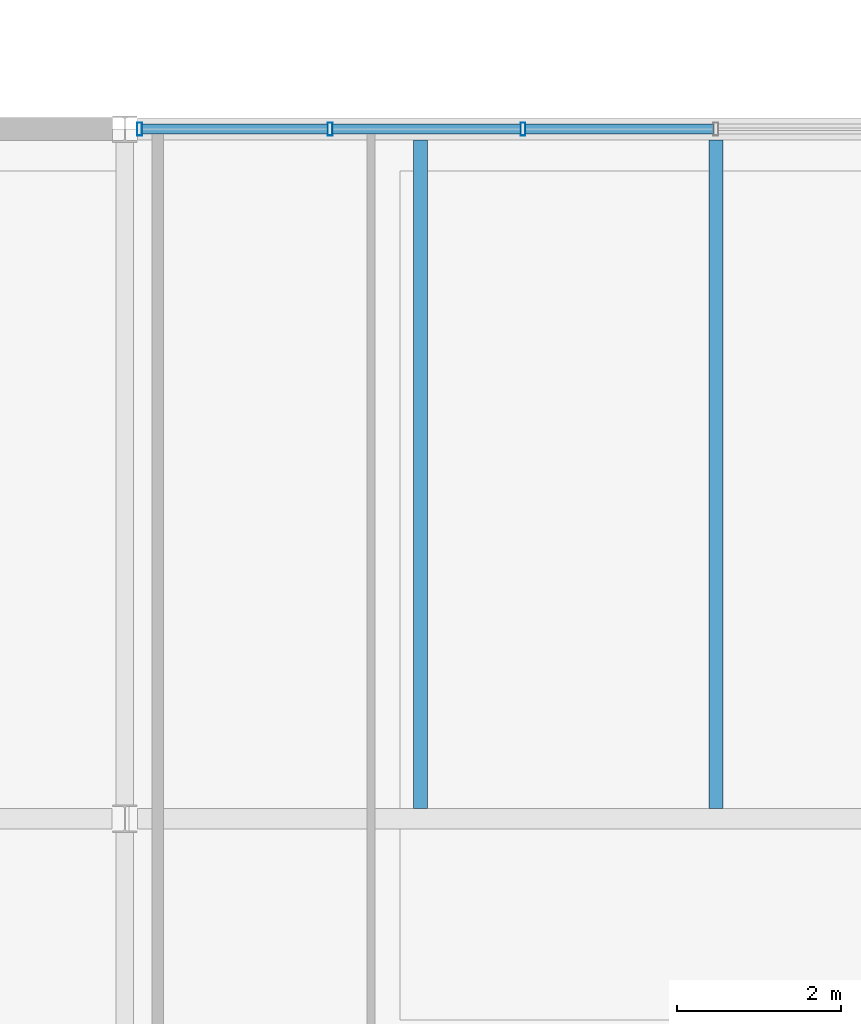
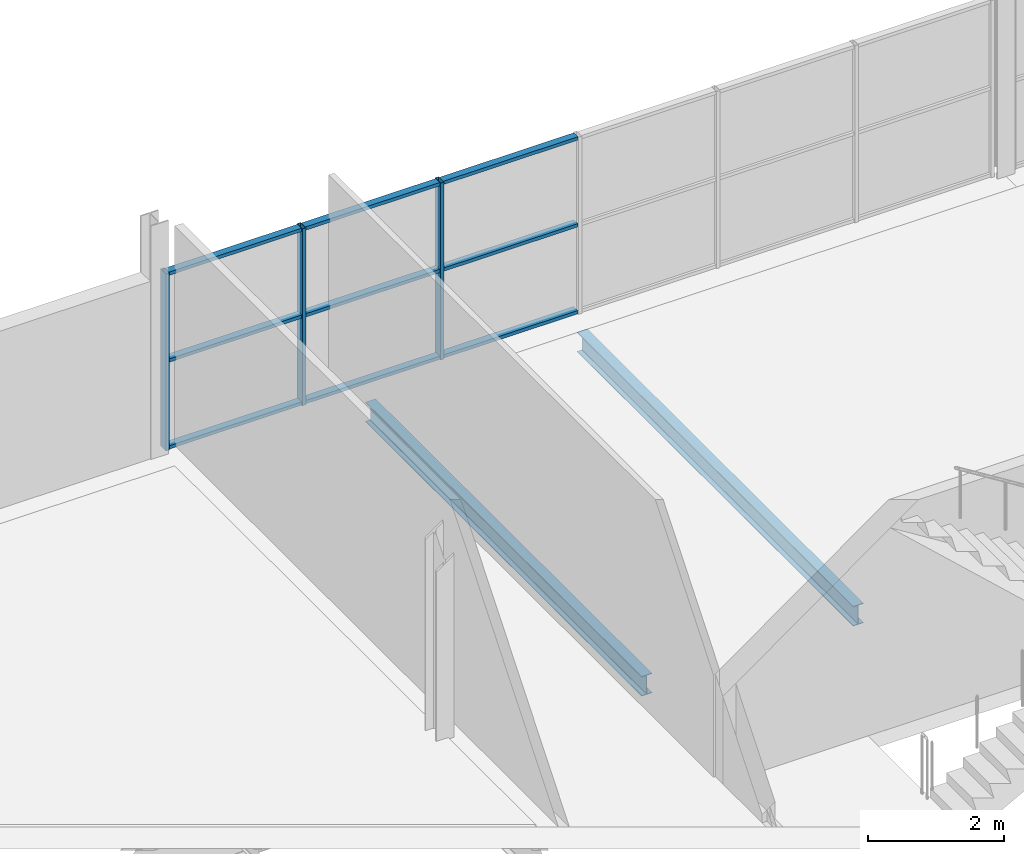
# One storey, part 41 of 93: 12 members, 2 beams, 1 element without a shape of its own.
"""IFC4 building model written with IfcOpenShell, lengths in metres."""

from ifc_helpers import new_model, si_unit, direction, frame, origin, origin_2d, place, context, subcontext, project, spatial, hollow_rectangle, i_section, extrude, material, material_profile, profile_set, type_object, element, aggregate, save


model = new_model("IFC4")

# Units and contexts
model_context = context("Model", 3, precision=1e-05, world=origin(), true_north=direction((0.0, 1.0)))
body_context = subcontext(model_context, "Body", "Model", "MODEL_VIEW")
ifc_project = project(units=[si_unit("LENGTHUNIT", "METRE"), si_unit("AREAUNIT", "SQUARE_METRE"), si_unit("VOLUMEUNIT", "CUBIC_METRE"), si_unit("PLANEANGLEUNIT", "RADIAN"), si_unit("MASSUNIT", "GRAM", prefix="KILO"), si_unit("THERMODYNAMICTEMPERATUREUNIT", "KELVIN")], contexts=[model_context])

# Site, building, storey
site_placement = place(None, origin())
site = spatial("IfcSite", under=ifc_project, at=site_placement, CompositionType="ELEMENT")
building_placement = place(site_placement, origin())
building = spatial("IfcBuilding", under=site, at=building_placement, Name="Nduvali Passage Aquatics Centre", CompositionType="ELEMENT")
storey_placement = place(building_placement, frame((0.0, 0.0, 9.0)))
storey = spatial("IfcBuildingStorey", under=building, at=storey_placement, Name="L02", CompositionType="ELEMENT", Elevation=9.0)

# Curtain wall, members
ifc_material_1 = material(Name="Aluminium EN AW-6063 T6", Category="aluminium")
curtain_wall_type = type_object("IfcCurtainWallType", Name="ENV-CW-WELL", PredefinedType="NOTDEFINED", material=ifc_material_1)
curtain_wall_placement = place(storey_placement, origin())
curtain_wall = element("IfcCurtainWall", 1, at=curtain_wall_placement, inside=storey, type_object=curtain_wall_type, Name="L02 North Avenue Clinic CW 101", PredefinedType="NOTDEFINED")
ifc_material_profile_1 = material_profile(ifc_material_1, hollow_rectangle(XDim=0.06005859375, YDim=0.159912109375, WallThickness=0.00390625, at=origin_2d()), Name="ALU MULLION 60x160x4")
ifc_profile_set_1 = profile_set([ifc_material_profile_1], Name="Aluminium EN AW-6063 T6")
member_type_1 = type_object("IfcMemberType", Name="ENV-MEM-MUL60", PredefinedType="MULLION", material=ifc_profile_set_1)
member_1_placement = place(storey_placement, frame((54.179931640625, 117.60009765625, 0.0), z_axis=(0.0, 0.0, 1.0), x_axis=(1.0, 0.0, 0.0)))
member_1 = element("IfcMember", 2, at=member_1_placement, type_object=member_type_1, Name="North Avenue Clinic CW Mullion 1", PredefinedType="MULLION", context=body_context, shape_type="SweptSolid", body=[
    extrude(hollow_rectangle(XDim=0.06005859375, YDim=0.159912109375, WallThickness=0.00390625, at=origin_2d()), origin(), (0.0, 0.0, 1.0), 3.183837890625),
])
member_2_placement = place(storey_placement, frame((56.5, 117.60009765625, 0.0), z_axis=(0.0, 0.0, 1.0), x_axis=(1.0, 0.0, 0.0)))
member_2 = element("IfcMember", 3, at=member_2_placement, type_object=member_type_1, Name="North Avenue Clinic CW Mullion 2", PredefinedType="MULLION", context=body_context, shape_type="SweptSolid", body=[
    extrude(hollow_rectangle(XDim=0.06005859375, YDim=0.159912109375, WallThickness=0.00390625, at=origin_2d()), origin(), (0.0, 0.0, 1.0), 3.183837890625),
])
member_3_placement = place(storey_placement, frame((58.85009765625, 117.60009765625, 0.0), z_axis=(0.0, 0.0, 1.0), x_axis=(1.0, 0.0, 0.0)))
member_3 = element("IfcMember", 4, at=member_3_placement, type_object=member_type_1, Name="North Avenue Clinic CW Mullion 3", PredefinedType="MULLION", context=body_context, shape_type="SweptSolid", body=[
    extrude(hollow_rectangle(XDim=0.06005859375, YDim=0.159912109375, WallThickness=0.00390625, at=origin_2d()), origin(), (0.0, 0.0, 1.0), 3.183837890625),
])
ifc_material_profile_2 = material_profile(ifc_material_1, hollow_rectangle(XDim=0.1201171875, YDim=0.06005859375, WallThickness=0.00390625, at=origin_2d()), Name="ALU TRANSOM 120x60x4")
ifc_profile_set_2 = profile_set([ifc_material_profile_2], Name="Aluminium EN AW-6063 T6")
member_type_2 = type_object("IfcMemberType", Name="ENV-MEM-TRN60", PredefinedType="USERDEFINED", material=ifc_profile_set_2)
member_4_placement = place(storey_placement, frame((54.2099609375, 117.60009765625, 0.030029296875), z_axis=(1.0, 0.0, 0.0), x_axis=(0.0, 1.0, 0.0)))
member_4 = element("IfcMember", 5, at=member_4_placement, type_object=member_type_2, Name="North Avenue Clinic CW Transom B1-R0", ObjectType="TRANSOM", PredefinedType="USERDEFINED", context=body_context, shape_type="SweptSolid", body=[
    extrude(hollow_rectangle(XDim=0.1201171875, YDim=0.06005859375, WallThickness=0.00390625, at=origin_2d()), origin(), (0.0, 0.0, 1.0), 2.260009765625),
])
member_5_placement = place(storey_placement, frame((54.2099609375, 117.60009765625, 1.591796875), z_axis=(1.0, 0.0, 0.0), x_axis=(0.0, 1.0, 0.0)))
member_5 = element("IfcMember", 6, at=member_5_placement, type_object=member_type_2, Name="North Avenue Clinic CW Transom B1-R1", ObjectType="TRANSOM", PredefinedType="USERDEFINED", context=body_context, shape_type="SweptSolid", body=[
    extrude(hollow_rectangle(XDim=0.1201171875, YDim=0.06005859375, WallThickness=0.00390625, at=origin_2d()), origin(), (0.0, 0.0, 1.0), 2.260009765625),
])
member_6_placement = place(storey_placement, frame((54.2099609375, 117.60009765625, 3.15380859375), z_axis=(1.0, 0.0, 0.0), x_axis=(0.0, 1.0, 0.0)))
member_6 = element("IfcMember", 7, at=member_6_placement, type_object=member_type_2, Name="North Avenue Clinic CW Transom B1-R2", ObjectType="TRANSOM", PredefinedType="USERDEFINED", context=body_context, shape_type="SweptSolid", body=[
    extrude(hollow_rectangle(XDim=0.1201171875, YDim=0.06005859375, WallThickness=0.00390625, at=origin_2d()), origin(), (0.0, 0.0, 1.0), 2.260009765625),
])
member_7_placement = place(storey_placement, frame((56.530029296875, 117.60009765625, 0.030029296875), z_axis=(1.0, 0.0, 0.0), x_axis=(0.0, 1.0, 0.0)))
member_7 = element("IfcMember", 8, at=member_7_placement, type_object=member_type_2, Name="North Avenue Clinic CW Transom B2-R0", ObjectType="TRANSOM", PredefinedType="USERDEFINED", context=body_context, shape_type="SweptSolid", body=[
    extrude(hollow_rectangle(XDim=0.1201171875, YDim=0.06005859375, WallThickness=0.00390625, at=origin_2d()), origin(), (0.0, 0.0, 1.0), 2.2900390625),
])
member_8_placement = place(storey_placement, frame((56.530029296875, 117.60009765625, 1.591796875), z_axis=(1.0, 0.0, 0.0), x_axis=(0.0, 1.0, 0.0)))
member_8 = element("IfcMember", 9, at=member_8_placement, type_object=member_type_2, Name="North Avenue Clinic CW Transom B2-R1", ObjectType="TRANSOM", PredefinedType="USERDEFINED", context=body_context, shape_type="SweptSolid", body=[
    extrude(hollow_rectangle(XDim=0.1201171875, YDim=0.06005859375, WallThickness=0.00390625, at=origin_2d()), origin(), (0.0, 0.0, 1.0), 2.2900390625),
])
member_9_placement = place(storey_placement, frame((56.530029296875, 117.60009765625, 3.15380859375), z_axis=(1.0, 0.0, 0.0), x_axis=(0.0, 1.0, 0.0)))
member_9 = element("IfcMember", 10, at=member_9_placement, type_object=member_type_2, Name="North Avenue Clinic CW Transom B2-R2", ObjectType="TRANSOM", PredefinedType="USERDEFINED", context=body_context, shape_type="SweptSolid", body=[
    extrude(hollow_rectangle(XDim=0.1201171875, YDim=0.06005859375, WallThickness=0.00390625, at=origin_2d()), origin(), (0.0, 0.0, 1.0), 2.2900390625),
])
member_10_placement = place(storey_placement, frame((58.8798828125, 117.60009765625, 0.030029296875), z_axis=(1.0, 0.0, 0.0), x_axis=(0.0, 1.0, 0.0)))
member_10 = element("IfcMember", 11, at=member_10_placement, type_object=member_type_2, Name="North Avenue Clinic CW Transom B3-R0", ObjectType="TRANSOM", PredefinedType="USERDEFINED", context=body_context, shape_type="SweptSolid", body=[
    extrude(hollow_rectangle(XDim=0.1201171875, YDim=0.06005859375, WallThickness=0.00390625, at=origin_2d()), origin(), (0.0, 0.0, 1.0), 2.2900390625),
])
member_11_placement = place(storey_placement, frame((58.8798828125, 117.60009765625, 1.591796875), z_axis=(1.0, 0.0, 0.0), x_axis=(0.0, 1.0, 0.0)))
member_11 = element("IfcMember", 12, at=member_11_placement, type_object=member_type_2, Name="North Avenue Clinic CW Transom B3-R1", ObjectType="TRANSOM", PredefinedType="USERDEFINED", context=body_context, shape_type="SweptSolid", body=[
    extrude(hollow_rectangle(XDim=0.1201171875, YDim=0.06005859375, WallThickness=0.00390625, at=origin_2d()), origin(), (0.0, 0.0, 1.0), 2.2900390625),
])
member_12_placement = place(storey_placement, frame((58.8798828125, 117.60009765625, 3.15380859375), z_axis=(1.0, 0.0, 0.0), x_axis=(0.0, 1.0, 0.0)))
member_12 = element("IfcMember", 13, at=member_12_placement, type_object=member_type_2, Name="North Avenue Clinic CW Transom B3-R2", ObjectType="TRANSOM", PredefinedType="USERDEFINED", context=body_context, shape_type="SweptSolid", body=[
    extrude(hollow_rectangle(XDim=0.1201171875, YDim=0.06005859375, WallThickness=0.00390625, at=origin_2d()), origin(), (0.0, 0.0, 1.0), 2.2900390625),
])
aggregate(curtain_wall, [member_1, member_2, member_3, member_4, member_5, member_6, member_7, member_8, member_9, member_10, member_11, member_12])

# Beams
ifc_material_2 = material(Name="Steel S355", Category="steel")
ifc_material_profile_3 = material_profile(ifc_material_2, i_section(OverallWidth=0.172119140625, OverallDepth=0.35791015625, WebThickness=0.008056640625, FlangeThickness=0.012939453125, FilletRadius=0.01025390625, at=origin_2d()), Name="UKB 356x171x57")
ifc_profile_set_3 = profile_set([ifc_material_profile_3], Name="Steel S355")
beam_type = type_object("IfcBeamType", Name="STR-JST-UKB356", PredefinedType="JOIST", material=ifc_profile_set_3)
for number, where, z_axis, x_axis, name in (
    (14, (57.60009765625, 109.326904296875, -0.443115234375), (0.0, 1.0, 0.0), (-1.0, 0.0, 0.0), "L02 Secondary Joist J2-1186"),
    (15, (61.199951171875, 109.326904296875, -0.443115234375), (0.0, 1.0, 0.0), (-1.0, 0.0, 0.0), "L02 Secondary Joist J2-1187"),
):
    element("IfcBeam", number, at=place(storey_placement, frame(where, z_axis=z_axis, x_axis=x_axis)), inside=storey, type_object=beam_type, Name=name, PredefinedType="JOIST", context=body_context, shape_type="SweptSolid", body=[
        extrude(i_section(OverallWidth=0.172119140625, OverallDepth=0.35791015625, WebThickness=0.008056640625, FlangeThickness=0.012939453125, FilletRadius=0.01025390625, at=origin_2d()), origin(), (0.0, 0.0, 1.0), 8.139892578125),
    ])

save(model, "model.ifc")
